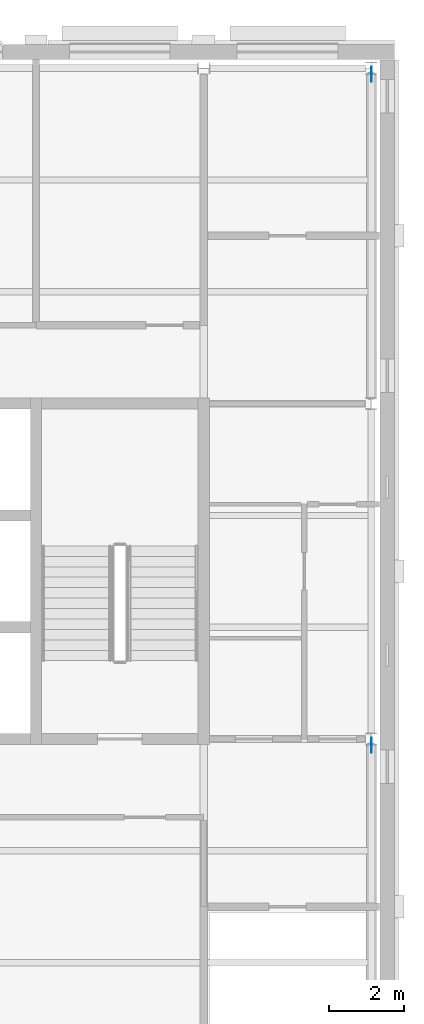
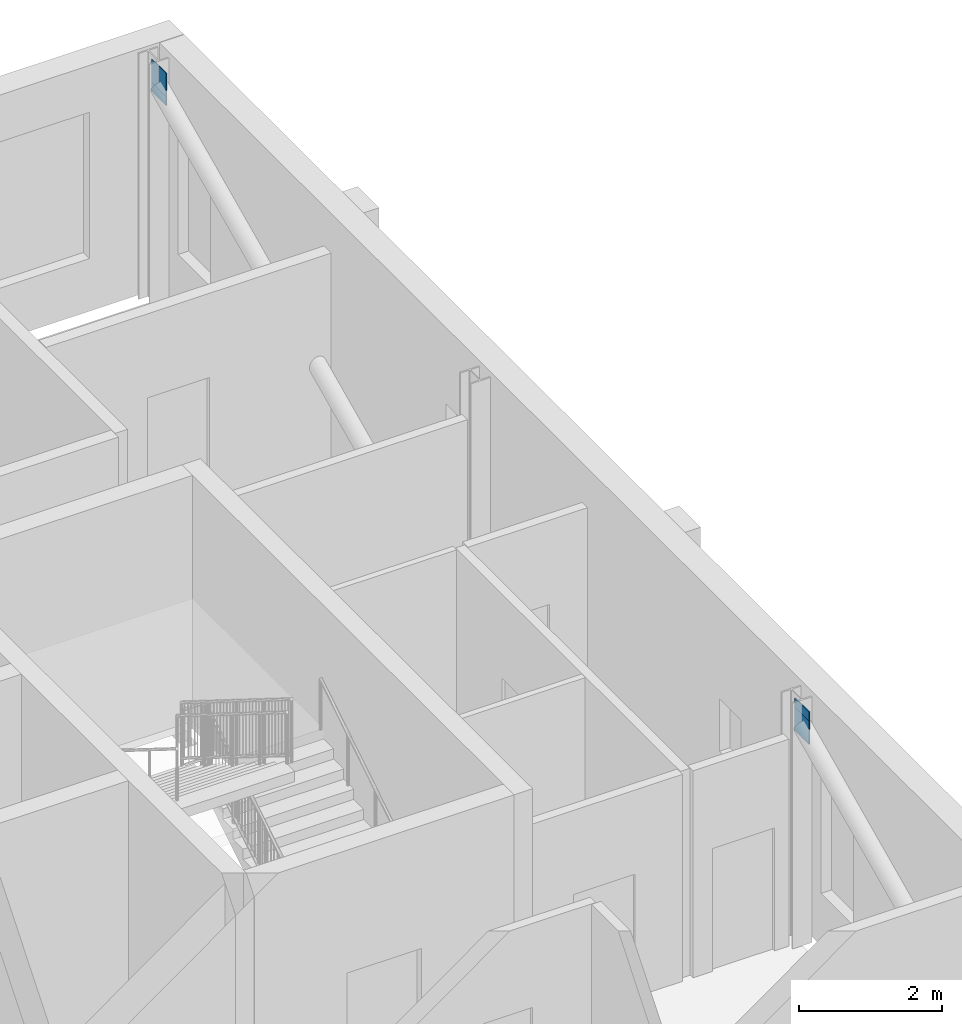
# One storey, part 7 of 9: 4 discrete accessories.
"""IFC4 building model written with IfcOpenShell, lengths in metres."""

from ifc_helpers import new_model, si_unit, direction, frame, origin, origin_2d, place, context, subcontext, project, spatial, rectangle, extrude, material, type_object, element, save


model = new_model("IFC4")

# Units and contexts
model_context = context("Model", 3, precision=1e-05, world=origin(), true_north=direction((0.0, 1.0)))
body_context = subcontext(model_context, "Body", "Model", "MODEL_VIEW")
ifc_project = project(units=[si_unit("LENGTHUNIT", "METRE"), si_unit("AREAUNIT", "SQUARE_METRE"), si_unit("VOLUMEUNIT", "CUBIC_METRE"), si_unit("PLANEANGLEUNIT", "RADIAN"), si_unit("MASSUNIT", "GRAM", prefix="KILO")], contexts=[model_context])

# Site, building, storey
site_placement = place(None, origin())
site = spatial("IfcSite", under=ifc_project, at=site_placement, CompositionType="ELEMENT")
building_placement = place(site_placement, origin())
building = spatial("IfcBuilding", under=site, at=building_placement, Name="Hortulan Conservatory and Botanical Research Centre", CompositionType="ELEMENT")
storey_placement = place(building_placement, frame((0.0, 0.0, 31.800048828125)))
storey = spatial("IfcBuildingStorey", under=building, at=storey_placement, Name="L07", CompositionType="ELEMENT", Elevation=31.800048828125)

# Discrete accessories
ifc_material = material(Name="Steel Grade 300 plate (AS/NZS 3678, 280 MPa minimum yield)", Category="steel")
discrete_accessory_type = type_object("IfcDiscreteAccessoryType", Name="End Plate 400x16", PredefinedType="BRACKET", material=ifc_material)
for number, where, z_axis, x_axis, name in (
    (1, (31.5, 8.83642578125, 3.563720703125), (0.0, 0.0, 1.0), (0.0, -1.0, 0.0), "Brace end plate"),
    (2, (31.5, 8.83642578125, 3.71630859375), (0.0, 0.0, 1.0), (0.0, -1.0, 0.0), "Brace end plate"),
    (3, (31.5, 26.83642578125, 3.563720703125), (0.0, 0.0, 1.0), (0.0, -1.0, 0.0), "Brace end plate"),
    (4, (31.5, 26.83642578125, 3.71630859375), (0.0, 0.0, 1.0), (0.0, -1.0, 0.0), "Brace end plate"),
):
    element("IfcDiscreteAccessory", number, at=place(storey_placement, frame(where, z_axis=z_axis, x_axis=x_axis)), inside=storey, type_object=discrete_accessory_type, Name=name, PredefinedType="BRACKET", context=body_context, shape_type="SweptSolid", body=[
        extrude(rectangle(XDim=0.39990234375, YDim=0.01611328125, at=origin_2d()), origin(), (0.0, 0.0, 1.0), 0.39990234375),
    ])

save(model, "model.ifc")
